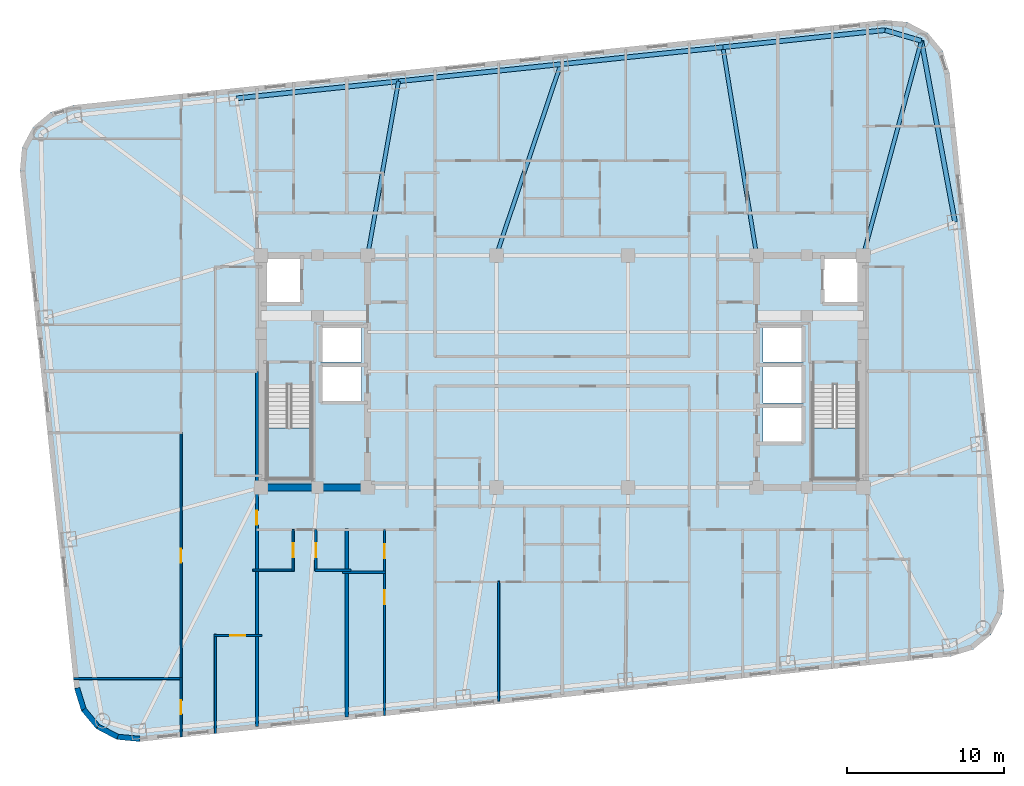
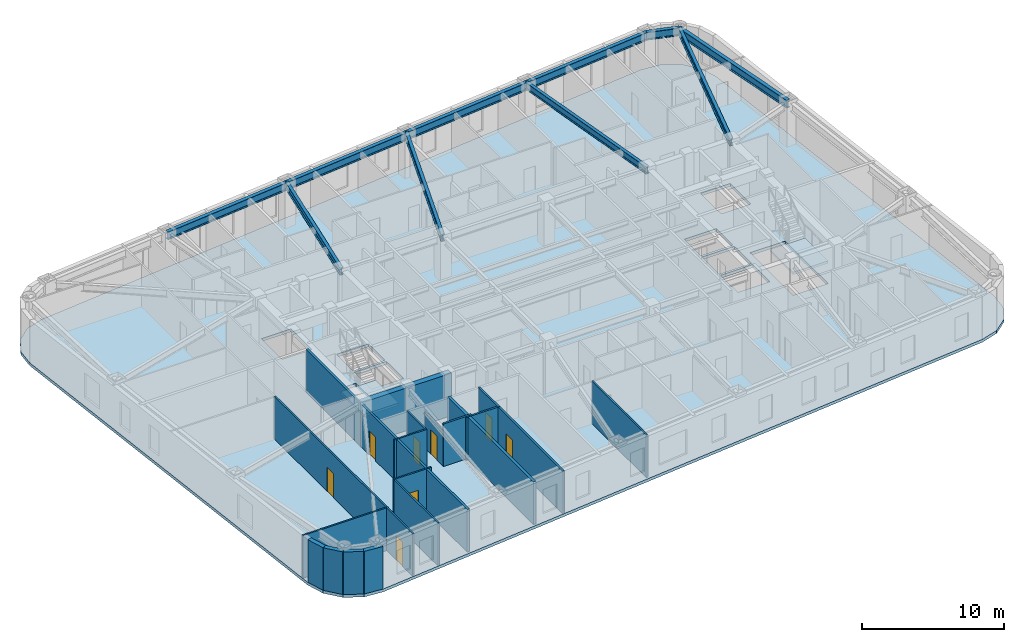
# One storey, part 2 of 12: 20 walls, 10 beams, 8 doors, 3 slabs, 8 openings, 2 elements without a shape of their own.
"""IFC4 building model written with IfcOpenShell, lengths in metres."""

from ifc_helpers import new_model, si_unit, direction, frame, frame_2d, origin, origin_2d, place, context, subcontext, project, spatial, polyline, rectangle, i_section, outline, extrude, material, layer, layer_set, material_profile, profile_set, type_object, element, fill, aggregate, save


model = new_model("IFC4")

# Units and contexts
model_context = context("Model", 3, precision=1e-05, world=origin(), true_north=direction((0.0, 1.0)))
body_context = subcontext(model_context, "Body", "Model", "MODEL_VIEW")
ifc_project = project(units=[si_unit("LENGTHUNIT", "METRE"), si_unit("AREAUNIT", "SQUARE_METRE"), si_unit("VOLUMEUNIT", "CUBIC_METRE"), si_unit("PLANEANGLEUNIT", "RADIAN"), si_unit("MASSUNIT", "GRAM", prefix="KILO")], contexts=[model_context])

# Site, building, storey
site_placement = place(None, origin())
site = spatial("IfcSite", under=ifc_project, at=site_placement, CompositionType="ELEMENT")
building_placement = place(site_placement, origin())
building = spatial("IfcBuilding", under=site, at=building_placement, Name="Voryun Gate Residences", CompositionType="ELEMENT")
storey_placement = place(building_placement, frame((0.0, 0.0, 179.39990234375)))
storey = spatial("IfcBuildingStorey", under=building, at=storey_placement, Name="L44", CompositionType="ELEMENT", Elevation=179.39990234375)

# Beams
ifc_material_1 = material(Name="Steel SM355", Category="steel")
ifc_material_profile_1 = material_profile(ifc_material_1, i_section(OverallWidth=0.300048828125, OverallDepth=0.679931640625, WebThickness=0.013916015625, FlangeThickness=0.02490234375, FilletRadius=0.01806640625, at=origin_2d()), Name="H-680x300x14x25")
ifc_profile_set_1 = profile_set([ifc_material_profile_1], Name="Steel SM355")
beam_type_1 = type_object("IfcBeamType", Name="BM_EXO_SPANDREL_M", PredefinedType="SPANDREL", material=ifc_profile_set_1)
beam_1_placement = place(storey_placement, frame((25.047119140625, 9.51806640625, 3.31005859375), z_axis=(-0.182267768769, 0.983248931079, 0.0), x_axis=(-0.983248931079, -0.182267768769, 0.0)))
element("IfcBeam", 1, at=beam_1_placement, inside=storey, type_object=beam_type_1, Name="BM-L44-SPAND-09", PredefinedType="SPANDREL", context=body_context, shape_type="SweptSolid", body=[
    extrude(i_section(OverallWidth=0.300048828125, OverallDepth=0.679931640625, WebThickness=0.013916015625, FlangeThickness=0.02490234375, FilletRadius=0.01806640625, at=origin_2d()), origin(), (0.0, 0.0, 1.0), 11.753662109375),
])
beam_2_placement = place(storey_placement, frame((22.90478515625, 21.074951171875, 3.31005859375), z_axis=(-0.958843048967, 0.283936625758, 0.0), x_axis=(-0.283936625758, -0.958843048967, 0.0)))
element("IfcBeam", 2, at=beam_2_placement, inside=storey, type_object=beam_type_1, Name="BM-L44-SPAND-10", PredefinedType="SPANDREL", context=body_context, shape_type="SweptSolid", body=[
    extrude(i_section(OverallWidth=0.300048828125, OverallDepth=0.679931640625, WebThickness=0.013916015625, FlangeThickness=0.02490234375, FilletRadius=0.01806640625, at=origin_2d()), origin(), (0.0, 0.0, 1.0), 2.410888671875),
])
for number, where, z_axis, x_axis, name in (
    (3, (20.593017578125, 21.759521484375, 3.31005859375), (-0.994521263116, -0.104534478571, 0.0), (0.104534478571, -0.994521263116, 0.0), "BM-L44-SPAND-11"),
    (4, (10.25, 20.67236328125, 3.31005859375), (-0.99452370336, -0.10451125994, 0.0), (0.10451125994, -0.99452370336, 0.0), "BM-L44-SPAND-12"),
    (5, (-0.093017578125, 19.58544921875, 3.31005859375), (-0.994521263116, -0.104534478571, 0.0), (0.104534478571, -0.994521263116, 0.0), "BM-L44-SPAND-13"),
    (6, (-10.43603515625, 18.498291015625, 3.31005859375), (-0.994521263116, -0.104534478571, 0.0), (0.104534478571, -0.994521263116, 0.0), "BM-L44-SPAND-14"),
):
    element("IfcBeam", number, at=place(storey_placement, frame(where, z_axis=z_axis, x_axis=x_axis)), inside=storey, type_object=beam_type_1, Name=name, PredefinedType="SPANDREL", context=body_context, shape_type="SweptSolid", body=[
        extrude(i_section(OverallWidth=0.300048828125, OverallDepth=0.679931640625, WebThickness=0.013916015625, FlangeThickness=0.02490234375, FilletRadius=0.01806640625, at=origin_2d()), origin(), (0.0, 0.0, 1.0), 10.39990234375),
    ])
ifc_material_2 = material(Name="Steel SM355", Category="steel")
ifc_material_profile_2 = material_profile(ifc_material_2, i_section(OverallWidth=0.25, OverallDepth=0.60009765625, WebThickness=0.011962890625, FlangeThickness=0.02197265625, FilletRadius=0.01806640625, at=origin_2d()), Name="H-600x250x12x22")
ifc_profile_set_2 = profile_set([ifc_material_profile_2], Name="Steel SM355")
beam_type_2 = type_object("IfcBeamType", Name="BM_GIRD_600", PredefinedType="USERDEFINED", material=ifc_profile_set_2)
beam_3_placement = place(storey_placement, frame((19.199951171875, 7.39990234375, 3.35009765625), z_axis=(0.261492735838, 0.965205443988, 0.0), x_axis=(-0.965205443988, 0.261492735838, 0.0)))
element("IfcBeam", 7, at=beam_3_placement, inside=storey, type_object=beam_type_2, Name="BM-L44-RAD-CNE", ObjectType="GIRDER", PredefinedType="USERDEFINED", context=body_context, shape_type="SweptSolid", body=[
    extrude(i_section(OverallWidth=0.25, OverallDepth=0.60009765625, WebThickness=0.011962890625, FlangeThickness=0.02197265625, FilletRadius=0.01806640625, at=origin_2d()), origin(), (0.0, 0.0, 1.0), 14.16796875),
])
beam_4_placement = place(storey_placement, frame((12.39990234375, 7.39990234375, 3.35009765625), z_axis=(-0.159898055533, 0.987133532931, 0.0), x_axis=(-0.987133532931, -0.159898055533, 0.0)))
element("IfcBeam", 8, at=beam_4_placement, inside=storey, type_object=beam_type_2, Name="BM-L44-RAD-N2", ObjectType="GIRDER", PredefinedType="USERDEFINED", context=body_context, shape_type="SweptSolid", body=[
    extrude(i_section(OverallWidth=0.25, OverallDepth=0.60009765625, WebThickness=0.011962890625, FlangeThickness=0.02197265625, FilletRadius=0.01806640625, at=origin_2d()), origin(), (0.0, 0.0, 1.0), 13.445556640625),
])
beam_5_placement = place(storey_placement, frame((-4.199951171875, 7.39990234375, 3.35009765625), z_axis=(0.319381479956, 0.947626229197, 0.0), x_axis=(-0.947626229197, 0.319381479956, 0.0)))
element("IfcBeam", 9, at=beam_5_placement, inside=storey, type_object=beam_type_2, Name="BM-L44-RAD-N3", ObjectType="GIRDER", PredefinedType="USERDEFINED", context=body_context, shape_type="SweptSolid", body=[
    extrude(i_section(OverallWidth=0.25, OverallDepth=0.60009765625, WebThickness=0.011962890625, FlangeThickness=0.02197265625, FilletRadius=0.01806640625, at=origin_2d()), origin(), (0.0, 0.0, 1.0), 12.859130859375),
])
beam_6_placement = place(storey_placement, frame((-12.39990234375, 7.39990234375, 3.35009765625), z_axis=(0.174243764839, 0.984702549207, 0.0), x_axis=(-0.984702549207, 0.174243764839, 0.0)))
element("IfcBeam", 10, at=beam_6_placement, inside=storey, type_object=beam_type_2, Name="BM-L44-RAD-N4", ObjectType="GIRDER", PredefinedType="USERDEFINED", context=body_context, shape_type="SweptSolid", body=[
    extrude(i_section(OverallWidth=0.25, OverallDepth=0.60009765625, WebThickness=0.011962890625, FlangeThickness=0.02197265625, FilletRadius=0.01806640625, at=origin_2d()), origin(), (0.0, 0.0, 1.0), 11.270751953125),
])

# Slab
ifc_material_3 = material(Name="Concrete C40/50", Category="concrete")
ifc_layer_1 = layer(ifc_material_3, 0.25, Name="SLB_RES_250")
ifc_layer_set_1 = layer_set([ifc_layer_1], Name="Concrete C40/50")
slab_type_1 = type_object("IfcSlabType", Name="SLB_RES_250", PredefinedType="FLOOR", material=ifc_layer_set_1)
slab_1_placement = place(storey_placement, frame((0.0, 0.0, -0.25)))
element("IfcSlab", 11, at=slab_1_placement, inside=storey, type_object=slab_type_1, Name="L44 Structural Floor Slab", PredefinedType="FLOOR", context=body_context, shape_type="SweptSolid", body=[
    extrude(outline(polyline([(-26.92529296875, -23.60595703125), (-28.401611328125, -23.47021484375), (-29.7138671875, -22.780029296875), (-30.661865234375, -21.639892578125), (-31.1015625, -20.22412109375), (-34.572021484375, 12.794189453125), (-34.436279296875, 14.2705078125), (-33.745849609375, 15.582763671875), (-32.60595703125, 16.53076171875), (-31.18994140625, 16.970458984375), (20.525146484375, 22.406005859375), (22.001708984375, 22.270263671875), (23.313720703125, 21.580078125), (24.261962890625, 20.43994140625), (24.70166015625, 19.02392578125), (28.171875, -13.994140625), (28.036376953125, -15.470458984375), (27.345947265625, -16.78271484375), (26.2060546875, -17.730712890625), (24.7900390625, -18.17041015625), (-26.92529296875, -23.60595703125)]), holes=[polyline([(-15.97509765625, -6.85009765625), (-15.97509765625, -0.840087890625), (-18.824951171875, -0.840087890625), (-18.824951171875, -6.85009765625), (-15.97509765625, -6.85009765625)]), polyline([(18.824951171875, -6.85009765625), (18.824951171875, -0.840087890625), (15.97509765625, -0.840087890625), (15.97509765625, -6.85009765625), (18.824951171875, -6.85009765625)]), polyline([(15.39990234375, -2.199951171875), (12.800048828125, -2.199951171875), (12.800048828125, -4.60009765625), (15.39990234375, -4.60009765625), (15.39990234375, -2.199951171875)]), polyline([(-12.800048828125, 0.39990234375), (-15.39990234375, 0.39990234375), (-15.39990234375, -2.0), (-12.800048828125, -2.0), (-12.800048828125, 0.39990234375)]), polyline([(15.39990234375, 0.39990234375), (12.800048828125, 0.39990234375), (12.800048828125, -2.0), (15.39990234375, -2.0), (15.39990234375, 0.39990234375)]), polyline([(-12.800048828125, 2.89990234375), (-15.39990234375, 2.89990234375), (-15.39990234375, 0.60009765625), (-12.800048828125, 0.60009765625), (-12.800048828125, 2.89990234375)]), polyline([(15.39990234375, 2.89990234375), (12.800048828125, 2.89990234375), (12.800048828125, 0.60009765625), (15.39990234375, 0.60009765625), (15.39990234375, 2.89990234375)]), polyline([(-16.60009765625, 4.300048828125), (-16.60009765625, 7.199951171875), (-19.0, 7.199951171875), (-19.0, 4.300048828125), (-16.60009765625, 4.300048828125)]), polyline([(19.0, 4.300048828125), (19.0, 7.199951171875), (16.60009765625, 7.199951171875), (16.60009765625, 4.300048828125), (19.0, 4.300048828125)])]), origin(), (0.0, 0.0, 1.0), 0.25),
])

# Stair, slab
ifc_material_4 = material(Name="Concrete C40/50", Category="concrete")
stair_type = type_object("IfcStairType", Name="STR_CORE_DOGLEG_1350", PredefinedType="HALF_TURN_STAIR", material=ifc_material_4)
stair_1_placement = place(storey_placement, origin())
stair_1 = element("IfcStair", 12, at=stair_1_placement, inside=storey, type_object=stair_type, Name="L44 Special Escape Stair ST-W1", PredefinedType="HALF_TURN_STAIR")
ifc_material_5 = material(Name="Concrete C40/50", Category="concrete")
ifc_layer_2 = layer(ifc_material_5, 0.199951171875, Name="SLB_STAIR_LANDING_200")
ifc_layer_set_2 = layer_set([ifc_layer_2], Name="Concrete C40/50")
slab_type_2 = type_object("IfcSlabType", Name="SLB_STAIR_LANDING_200", PredefinedType="LANDING", material=ifc_layer_set_2)
slab_2_placement = place(storey_placement, frame((0.0, 0.0, 1.75)))
slab_2 = element("IfcSlab", 13, at=slab_2_placement, type_object=slab_type_2, Name="ST-W1 landing 1", PredefinedType="LANDING", context=body_context, shape_type="SweptSolid", body=[
    extrude(outline(polyline([(-18.824951171875, -3.60009765625), (-18.824951171875, -6.85009765625), (-15.97509765625, -6.85009765625), (-15.97509765625, -3.60009765625), (-18.824951171875, -3.60009765625)])), origin(), (0.0, 0.0, 1.0), 0.2001953125),
])
aggregate(stair_1, [slab_2])

stair_2_placement = place(storey_placement, origin())
stair_2 = element("IfcStair", 14, at=stair_2_placement, inside=storey, type_object=stair_type, Name="L44 Special Escape Stair ST-E1", PredefinedType="HALF_TURN_STAIR")
slab_3_placement = place(storey_placement, frame((0.0, 0.0, 1.75)))
slab_3 = element("IfcSlab", 15, at=slab_3_placement, type_object=slab_type_2, Name="ST-E1 landing 1", PredefinedType="LANDING", context=body_context, shape_type="SweptSolid", body=[
    extrude(outline(polyline([(15.97509765625, -3.60009765625), (15.97509765625, -6.85009765625), (18.824951171875, -6.85009765625), (18.824951171875, -3.60009765625), (15.97509765625, -3.60009765625)])), origin(), (0.0, 0.0, 1.0), 0.2001953125),
])
aggregate(stair_2, [slab_3])

# Wall
ifc_material_6 = material(Name="Concrete C50/60", Category="concrete")
ifc_layer_3 = layer(ifc_material_6, 0.449951171875, Name="CW_CORE_450")
ifc_layer_set_3 = layer_set([ifc_layer_3], Name="Concrete C50/60")
wall_type_1 = type_object("IfcWallType", Name="CW_CORE_450", PredefinedType="SHEAR", material=ifc_layer_set_3)
wall_1_placement = place(storey_placement, frame((-19.425048828125, -7.39990234375, 0.0), z_axis=(0.0, 0.0, 1.0), x_axis=(1.0, 0.0, 0.0)))
element("IfcWall", 16, at=wall_1_placement, inside=storey, type_object=wall_type_1, Name="L44 Core shear wall CW-L44-WS", PredefinedType="SHEAR", context=body_context, shape_type="SweptSolid", body=[
    extrude(rectangle(XDim=7.25, YDim=0.449951171875, at=frame_2d((3.625, 0.0))), origin(), (0.0, 0.0, 1.0), 3.650146484375),
])

# Wall, opening, door
ifc_material_7 = material(Name="Gypsum acoustic fireboard")
ifc_layer_4 = layer(ifc_material_7, 0.179931640625, Name="W_CORR_RATED_180")
ifc_layer_set_4 = layer_set([ifc_layer_4], Name="Gypsum acoustic fireboard")
wall_type_2 = type_object("IfcWallType", Name="W_CORR_RATED_180", PredefinedType="PARTITIONING", material=ifc_layer_set_4)
wall_2_placement = place(storey_placement, frame((-19.469970703125, -22.651611328125, 0.0), z_axis=(0.0, 0.0, 1.0), x_axis=(0.0, 1.0, 0.0)))
wall_2 = element("IfcWall", 17, at=wall_2_placement, inside=storey, type_object=wall_type_2, Name="Partition wall WP-L44-WCOR1", PredefinedType="PARTITIONING", context=body_context, shape_type="SweptSolid", body=[
    extrude(rectangle(XDim=22.651611328125, YDim=0.179931640625, at=frame_2d((11.32568359375, 0.0))), origin(), (0.0, 0.0, 1.0), 3.650146484375),
])
opening_1_placement = place(wall_2_placement, frame((12.871337890625, 0.0, 0.0)))
opening_1 = element("IfcOpeningElement", 18, at=opening_1_placement, cuts=wall_2, Name="Opening D-INT-2", PredefinedType="OPENING", context=body_context, shape_type="SweptSolid", body=[
    extrude(rectangle(XDim=0.89990234375, YDim=2.050048828125, at=frame_2d((0.449951171875, 1.02490234375))), frame((0.0, 0.099853515625, 0.0), z_axis=(0.0, -1.0, 0.0), x_axis=(1.0, 0.0, 0.0)), (0.0, 0.0, 1.0), 0.199951171875),
])
ifc_material_8 = material(Name="Architectural oak veneer")
door_type_1 = type_object("IfcDoorType", Name="DR_INT_BATH_900", OperationType="NOTDEFINED", PredefinedType="DOOR", material=ifc_material_8)
door_1_placement = place(opening_1_placement, origin())
door_1 = element("IfcDoor", 19, at=door_1_placement, inside=storey, type_object=door_type_1, Name="Door DR-L44-WE1", OperationType="SINGLE_SWING_LEFT", OverallHeight=2.050048828125, OverallWidth=0.89990234375, PredefinedType="DOOR", context=body_context, shape_type="SweptSolid", body=[
    extrude(rectangle(XDim=0.89990234375, YDim=2.050048828125, at=frame_2d((0.449951171875, 1.02490234375))), frame((0.0, 0.02490234375, 0.0), z_axis=(0.0, -1.0, 0.0), x_axis=(1.0, 0.0, 0.0)), (0.0, 0.0, 1.0), 0.050048828125),
])
fill(opening_1, door_1)

# Walls
ifc_material_9 = material(Name="Charcoal terracotta masonry", Category="masonry")
ifc_layer_5 = layer(ifc_material_9, 0.340087890625, Name="W_EXT_TERRACOTTA_340")
ifc_layer_set_5 = layer_set([ifc_layer_5], Name="Charcoal terracotta masonry")
wall_type_3 = type_object("IfcWallType", Name="W_EXT_TERRACOTTA_340", PredefinedType="ELEMENTEDWALL", material=ifc_layer_set_5)
wall_3_placement = place(storey_placement, frame((-26.92626953125, -23.435302734375, 0.0), z_axis=(0.0, 0.0, 1.0), x_axis=(-0.995800460351, 0.091550222087, 0.0)))
element("IfcWall", 20, at=wall_3_placement, inside=storey, type_object=wall_type_3, Name="Exterior wall WEXT-L44-02", PredefinedType="ELEMENTEDWALL", context=body_context, shape_type="SweptSolid", body=[
    extrude(rectangle(XDim=1.43212890625, YDim=0.340087890625, at=frame_2d((0.716064453125, 0.0))), origin(), (0.0, 0.0, 1.0), 3.650146484375),
])
wall_4_placement = place(storey_placement, frame((-28.352294921875, -23.30419921875, 0.0), z_axis=(0.0, 0.0, 1.0), x_axis=(-0.884989312682, 0.465611336243, 0.0)))
element("IfcWall", 21, at=wall_4_placement, inside=storey, type_object=wall_type_3, Name="Exterior wall WEXT-L44-03", PredefinedType="ELEMENTEDWALL", context=body_context, shape_type="SweptSolid", body=[
    extrude(rectangle(XDim=1.415283203125, YDim=0.340087890625, at=frame_2d((0.70751953125, 0.0))), origin(), (0.0, 0.0, 1.0), 3.650146484375),
])
wall_5_placement = place(storey_placement, frame((-29.604736328125, -22.645263671875, 0.0), z_axis=(0.0, 0.0, 1.0), x_axis=(-0.639437361921, 0.768843196093, 0.0)))
element("IfcWall", 22, at=wall_5_placement, inside=storey, type_object=wall_type_3, Name="Exterior wall WEXT-L44-04", PredefinedType="ELEMENTEDWALL", context=body_context, shape_type="SweptSolid", body=[
    extrude(rectangle(XDim=1.4150390625, YDim=0.340087890625, at=frame_2d((0.70751953125, 0.0))), origin(), (0.0, 0.0, 1.0), 3.650146484375),
])
wall_6_placement = place(storey_placement, frame((-30.509521484375, -21.557373046875, 0.0), z_axis=(0.0, 0.0, 1.0), x_axis=(-0.296624409546, 0.9549942197, 0.0)))
element("IfcWall", 23, at=wall_6_placement, inside=storey, type_object=wall_type_3, Name="Exterior wall WEXT-L44-05", PredefinedType="ELEMENTEDWALL", context=body_context, shape_type="SweptSolid", body=[
    extrude(rectangle(XDim=1.43212890625, YDim=0.340087890625, at=frame_2d((0.716064453125, 0.0))), origin(), (0.0, 0.0, 1.0), 3.650146484375),
])
ifc_material_10 = material(Name="Concrete C40/50", Category="concrete")
ifc_layer_6 = layer(ifc_material_10, 0.219970703125, Name="W_PARTY_ACOUSTIC_220")
ifc_layer_set_6 = layer_set([ifc_layer_6], Name="Concrete C40/50")
wall_type_4 = type_object("IfcWallType", Name="W_PARTY_ACOUSTIC_220", PredefinedType="PARTITIONING", material=ifc_layer_set_6)
wall_7_placement = place(storey_placement, frame((-13.739990234375, -22.04931640625, 0.0), z_axis=(0.0, 0.0, 1.0), x_axis=(0.0, 1.0, 0.0)))
element("IfcWall", 24, at=wall_7_placement, inside=storey, type_object=wall_type_4, Name="Partition wall WP-L44-SPTY-1", PredefinedType="PARTITIONING", context=body_context, shape_type="SweptSolid", body=[
    extrude(rectangle(XDim=12.029296875, YDim=0.219970703125, at=frame_2d((6.0146484375, 0.0))), origin(), (0.0, 0.0, 1.0), 3.650146484375),
])

# Wall, opening, door
ifc_material_11 = material(Name="Gypsum acoustic partition")
ifc_layer_7 = layer(ifc_material_11, 0.125, Name="W_UNIT_PART_125")
ifc_layer_set_7 = layer_set([ifc_layer_7], Name="Gypsum acoustic partition")
wall_type_5 = type_object("IfcWallType", Name="W_UNIT_PART_125", PredefinedType="PARTITIONING", material=ifc_layer_set_7)
wall_8_placement = place(storey_placement, frame((-17.14990234375, -12.72998046875, 0.0), z_axis=(0.0, 0.0, 1.0), x_axis=(0.0, 1.0, 0.0)))
wall_8 = element("IfcWall", 25, at=wall_8_placement, inside=storey, type_object=wall_type_5, Name="Partition wall WP-L44-S1-CVK", PredefinedType="PARTITIONING", context=body_context, shape_type="SweptSolid", body=[
    extrude(rectangle(XDim=2.64990234375, YDim=0.125, at=frame_2d((1.324951171875, 0.0))), origin(), (0.0, 0.0, 1.0), 3.650146484375),
])
opening_2_placement = place(wall_8_placement, frame((0.875, 0.0, 0.0)))
opening_2 = element("IfcOpeningElement", 26, at=opening_2_placement, cuts=wall_8, Name="Opening D-INT-2", PredefinedType="OPENING", context=body_context, shape_type="SweptSolid", body=[
    extrude(rectangle(XDim=0.89990234375, YDim=2.050048828125, at=frame_2d((0.449951171875, 1.02490234375))), frame((0.0, 0.072509765625, 0.0), z_axis=(0.0, -1.0, 0.0), x_axis=(1.0, 0.0, 0.0)), (0.0, 0.0, 1.0), 0.14501953125),
])
door_2_placement = place(opening_2_placement, origin())
door_2 = element("IfcDoor", 27, at=door_2_placement, inside=storey, type_object=door_type_1, Name="Door DR-L44-S1-DK", OperationType="SINGLE_SWING_LEFT", OverallHeight=2.050048828125, OverallWidth=0.89990234375, PredefinedType="DOOR", context=body_context, shape_type="SweptSolid", body=[
    extrude(rectangle(XDim=0.89990234375, YDim=2.050048828125, at=frame_2d((0.449951171875, 1.02490234375))), frame((0.0, 0.02490234375, 0.0), z_axis=(0.0, -1.0, 0.0), x_axis=(1.0, 0.0, 0.0)), (0.0, 0.0, 1.0), 0.050048828125),
])
fill(opening_2, door_2)

# Walls
wall_9_placement = place(storey_placement, frame((-19.719970703125, -12.669921875, 0.0), z_axis=(0.0, 0.0, 1.0), x_axis=(1.0, 0.0, 0.0)))
element("IfcWall", 28, at=wall_9_placement, inside=storey, type_object=wall_type_5, Name="Partition wall WP-L44-S1-CHK", PredefinedType="PARTITIONING", context=body_context, shape_type="SweptSolid", body=[
    extrude(rectangle(XDim=2.6298828125, YDim=0.125, at=frame_2d((1.31494140625, 0.0))), origin(), (0.0, 0.0, 1.0), 3.650146484375),
])
wall_10_placement = place(storey_placement, frame((-4.050048828125, -21.03076171875, 0.0), z_axis=(0.0, 0.0, 1.0), x_axis=(0.0, 1.0, 0.0)))
element("IfcWall", 29, at=wall_10_placement, inside=storey, type_object=wall_type_5, Name="Partition wall WP-L44-SC1-VBD", PredefinedType="PARTITIONING", context=body_context, shape_type="SweptSolid", body=[
    extrude(rectangle(XDim=7.640869140625, YDim=0.125, at=frame_2d((3.8203125, 0.0))), origin(), (0.0, 0.0, 1.0), 3.650146484375),
])
wall_11_placement = place(storey_placement, frame((-31.148681640625, -19.583984375, 0.0), z_axis=(0.0, 0.0, 1.0), x_axis=(1.0, 0.0, 0.0)))
element("IfcWall", 30, at=wall_11_placement, inside=storey, type_object=wall_type_5, Name="Partition wall WP-L44-W1-OH1", PredefinedType="PARTITIONING", context=body_context, shape_type="SweptSolid", body=[
    extrude(rectangle(XDim=6.9287109375, YDim=0.125, at=frame_2d((3.46435546875, 0.0))), origin(), (0.0, 0.0, 1.0), 3.650146484375),
])

# Wall, opening, door
wall_12_placement = place(storey_placement, frame((-24.300048828125, -23.31005859375, 0.0), z_axis=(0.0, 0.0, 1.0), x_axis=(0.0, 1.0, 0.0)))
wall_12 = element("IfcWall", 31, at=wall_12_placement, inside=storey, type_object=wall_type_5, Name="Partition wall WP-L44-W1-OVX1", PredefinedType="PARTITIONING", context=body_context, shape_type="SweptSolid", body=[
    extrude(rectangle(XDim=3.776123046875, YDim=0.125, at=frame_2d((1.88818359375, 0.0))), origin(), (0.0, 0.0, 1.0), 3.650146484375),
])
opening_3_placement = place(wall_12_placement, frame((1.43798828125, 0.0, 0.0)))
opening_3 = element("IfcOpeningElement", 32, at=opening_3_placement, cuts=wall_12, Name="Opening D-INT-2", PredefinedType="OPENING", context=body_context, shape_type="SweptSolid", body=[
    extrude(rectangle(XDim=0.89990234375, YDim=2.050048828125, at=frame_2d((0.449951171875, 1.02490234375))), frame((0.0, 0.072509765625, 0.0), z_axis=(0.0, -1.0, 0.0), x_axis=(1.0, 0.0, 0.0)), (0.0, 0.0, 1.0), 0.14501953125),
])
door_3_placement = place(opening_3_placement, origin())
door_3 = element("IfcDoor", 33, at=door_3_placement, inside=storey, type_object=door_type_1, Name="Door DR-L44-W1-DBD2", OperationType="SINGLE_SWING_LEFT", OverallHeight=2.050048828125, OverallWidth=0.89990234375, PredefinedType="DOOR", context=body_context, shape_type="SweptSolid", body=[
    extrude(rectangle(XDim=0.89990234375, YDim=2.050048828125, at=frame_2d((0.449951171875, 1.02490234375))), frame((0.0, 0.02490234375, 0.0), z_axis=(0.0, -1.0, 0.0), x_axis=(1.0, 0.0, 0.0)), (0.0, 0.0, 1.0), 0.050048828125),
])
fill(opening_3, door_3)

wall_13_placement = place(storey_placement, frame((-24.300048828125, -19.634033203125, 0.0), z_axis=(0.0, 0.0, 1.0), x_axis=(0.0, 1.0, 0.0)))
wall_13 = element("IfcWall", 34, at=wall_13_placement, inside=storey, type_object=wall_type_5, Name="Partition wall WP-L44-W1-OVX2", PredefinedType="PARTITIONING", context=body_context, shape_type="SweptSolid", body=[
    extrude(rectangle(XDim=15.76611328125, YDim=0.125, at=frame_2d((7.883056640625, 0.0))), origin(), (0.0, 0.0, 1.0), 3.650146484375),
])
opening_4_placement = place(wall_13_placement, frame((7.43310546875, 0.0, 0.0)))
opening_4 = element("IfcOpeningElement", 35, at=opening_4_placement, cuts=wall_13, Name="Opening D-INT-2", PredefinedType="OPENING", context=body_context, shape_type="SweptSolid", body=[
    extrude(rectangle(XDim=0.89990234375, YDim=2.050048828125, at=frame_2d((0.449951171875, 1.02490234375))), frame((0.0, 0.072509765625, 0.0), z_axis=(0.0, -1.0, 0.0), x_axis=(1.0, 0.0, 0.0)), (0.0, 0.0, 1.0), 0.14501953125),
])
door_4_placement = place(opening_4_placement, origin())
door_4 = element("IfcDoor", 36, at=door_4_placement, inside=storey, type_object=door_type_1, Name="Door DR-L44-W1-DSTD", OperationType="SINGLE_SWING_RIGHT", OverallHeight=2.050048828125, OverallWidth=0.89990234375, PredefinedType="DOOR", context=body_context, shape_type="SweptSolid", body=[
    extrude(rectangle(XDim=0.89990234375, YDim=2.050048828125, at=frame_2d((0.449951171875, 1.02490234375))), frame((0.0, 0.02490234375, 0.0), z_axis=(0.0, -1.0, 0.0), x_axis=(1.0, 0.0, 0.0)), (0.0, 0.0, 1.0), 0.050048828125),
])
fill(opening_4, door_4)

wall_14_placement = place(storey_placement, frame((-22.199951171875, -16.842041015625, 0.0), z_axis=(0.0, 0.0, 1.0), x_axis=(1.0, 0.0, 0.0)))
wall_14 = element("IfcWall", 37, at=wall_14_placement, inside=storey, type_object=wall_type_5, Name="Partition wall WP-L44-W1-IKA", PredefinedType="PARTITIONING", context=body_context, shape_type="SweptSolid", body=[
    extrude(rectangle(XDim=3.050048828125, YDim=0.125, at=frame_2d((1.52490234375, 0.0))), origin(), (0.0, 0.0, 1.0), 3.650146484375),
])
opening_5_placement = place(wall_14_placement, frame((1.050048828125, 0.0, 0.0)))
opening_5 = element("IfcOpeningElement", 38, at=opening_5_placement, cuts=wall_14, Name="Opening D-INT-1", PredefinedType="OPENING", context=body_context, shape_type="SweptSolid", body=[
    extrude(rectangle(XDim=0.949951171875, YDim=2.050048828125, at=frame_2d((0.47509765625, 1.02490234375))), frame((0.0, 0.072509765625, 0.0), z_axis=(0.0, -1.0, 0.0), x_axis=(1.0, 0.0, 0.0)), (0.0, 0.0, 1.0), 0.14501953125),
])
ifc_material_12 = material(Name="Architectural oak veneer")
door_type_2 = type_object("IfcDoorType", Name="DR_INT_ROOM_950", OperationType="NOTDEFINED", PredefinedType="DOOR", material=ifc_material_12)
door_5_placement = place(opening_5_placement, origin())
door_5 = element("IfcDoor", 39, at=door_5_placement, inside=storey, type_object=door_type_2, Name="Door DR-L44-W1-DK", OperationType="SINGLE_SWING_LEFT", OverallHeight=2.050048828125, OverallWidth=0.949951171875, PredefinedType="DOOR", context=body_context, shape_type="SweptSolid", body=[
    extrude(rectangle(XDim=0.949951171875, YDim=2.050048828125, at=frame_2d((0.47509765625, 1.02490234375))), frame((0.0, 0.02490234375, 0.0), z_axis=(0.0, -1.0, 0.0), x_axis=(1.0, 0.0, 0.0)), (0.0, 0.0, 1.0), 0.050048828125),
])
fill(opening_5, door_5)

# Wall
wall_15_placement = place(storey_placement, frame((-22.1201171875, -23.080810546875, 0.0), z_axis=(0.0, 0.0, 1.0), x_axis=(0.0, 1.0, 0.0)))
element("IfcWall", 40, at=wall_15_placement, inside=storey, type_object=wall_type_5, Name="Partition wall WP-L44-W1-VTA", PredefinedType="PARTITIONING", context=body_context, shape_type="SweptSolid", body=[
    extrude(rectangle(XDim=6.31884765625, YDim=0.125, at=frame_2d((3.159423828125, 0.0))), origin(), (0.0, 0.0, 1.0), 3.650146484375),
])

# Wall, opening, door
ifc_material_13 = material(Name="Gypsum moisture-resistant partition")
ifc_layer_8 = layer(ifc_material_13, 0.14990234375, Name="W_WET_PLUMB_150")
ifc_layer_set_8 = layer_set([ifc_layer_8], Name="Gypsum moisture-resistant partition")
wall_type_6 = type_object("IfcWallType", Name="W_WET_PLUMB_150", PredefinedType="PLUMBINGWALL", material=ifc_layer_set_8)
wall_16_placement = place(storey_placement, frame((-15.7041015625, -12.72998046875, 0.0), z_axis=(0.0, 0.0, 1.0), x_axis=(0.0, 1.0, 0.0)))
wall_16 = element("IfcWall", 41, at=wall_16_placement, inside=storey, type_object=wall_type_6, Name="Partition wall WP-L44-S1-CVB", PredefinedType="PLUMBINGWALL", context=body_context, shape_type="SweptSolid", body=[
    extrude(rectangle(XDim=2.64990234375, YDim=0.14990234375, at=frame_2d((1.324951171875, 0.0))), origin(), (0.0, 0.0, 1.0), 3.0400390625),
])
opening_6_placement = place(wall_16_placement, frame((0.875, 0.0, 0.0)))
opening_6 = element("IfcOpeningElement", 42, at=opening_6_placement, cuts=wall_16, Name="Opening D-INT-2", PredefinedType="OPENING", context=body_context, shape_type="SweptSolid", body=[
    extrude(rectangle(XDim=0.89990234375, YDim=2.050048828125, at=frame_2d((0.449951171875, 1.02490234375))), frame((0.0, 0.0849609375, 0.0), z_axis=(0.0, -1.0, 0.0), x_axis=(1.0, 0.0, 0.0)), (0.0, 0.0, 1.0), 0.169921875),
])
door_6_placement = place(opening_6_placement, origin())
door_6 = element("IfcDoor", 43, at=door_6_placement, inside=storey, type_object=door_type_1, Name="Door DR-L44-S1-DB", OperationType="SINGLE_SWING_RIGHT", OverallHeight=2.050048828125, OverallWidth=0.89990234375, PredefinedType="DOOR", context=body_context, shape_type="SweptSolid", body=[
    extrude(rectangle(XDim=0.89990234375, YDim=2.050048828125, at=frame_2d((0.449951171875, 1.02490234375))), frame((0.0, 0.02490234375, 0.0), z_axis=(0.0, -1.0, 0.0), x_axis=(1.0, 0.0, 0.0)), (0.0, 0.0, 1.0), 0.050048828125),
])
fill(opening_6, door_6)

# Walls
wall_17_placement = place(storey_placement, frame((-15.763916015625, -12.669921875, 0.0), z_axis=(0.0, 0.0, 1.0), x_axis=(1.0, 0.0, 0.0)))
element("IfcWall", 44, at=wall_17_placement, inside=storey, type_object=wall_type_6, Name="Partition wall WP-L44-S1-CHB", PredefinedType="PLUMBINGWALL", context=body_context, shape_type="SweptSolid", body=[
    extrude(rectangle(XDim=2.283935546875, YDim=0.14990234375, at=frame_2d((1.14208984375, 0.0))), origin(), (0.0, 0.0, 1.0), 3.650146484375),
])
wall_18_placement = place(storey_placement, frame((-14.0, -12.800048828125, 0.0), z_axis=(0.0, 0.0, 1.0), x_axis=(1.0, 0.0, 0.0)))
element("IfcWall", 45, at=wall_18_placement, inside=storey, type_object=wall_type_6, Name="Partition wall WP-L44-S2-SKB", PredefinedType="PLUMBINGWALL", context=body_context, shape_type="SweptSolid", body=[
    extrude(rectangle(XDim=2.7490234375, YDim=0.14990234375, at=frame_2d((1.37451171875, 0.0))), origin(), (0.0, 0.0, 1.0), 3.650146484375),
])

# Wall, opening, door
wall_19_placement = place(storey_placement, frame((-11.3310546875, -21.947021484375, 0.0), z_axis=(0.0, 0.0, 1.0), x_axis=(0.0, 1.0, 0.0)))
wall_19 = element("IfcWall", 46, at=wall_19_placement, inside=storey, type_object=wall_type_6, Name="Partition wall WP-L44-S2-SVT1", PredefinedType="PLUMBINGWALL", context=body_context, shape_type="SweptSolid", body=[
    extrude(rectangle(XDim=9.18701171875, YDim=0.14990234375, at=frame_2d((4.593505859375, 0.0))), origin(), (0.0, 0.0, 1.0), 3.650146484375),
])
opening_7_placement = place(wall_19_placement, frame((7.083251953125, 0.0, 0.0)))
opening_7 = element("IfcOpeningElement", 47, at=opening_7_placement, cuts=wall_19, Name="Opening D-INT-2", PredefinedType="OPENING", context=body_context, shape_type="SweptSolid", body=[
    extrude(rectangle(XDim=0.89990234375, YDim=2.050048828125, at=frame_2d((0.449951171875, 1.02490234375))), frame((0.0, 0.0849609375, 0.0), z_axis=(0.0, -1.0, 0.0), x_axis=(1.0, 0.0, 0.0)), (0.0, 0.0, 1.0), 0.169921875),
])
door_7_placement = place(opening_7_placement, origin())
door_7 = element("IfcDoor", 48, at=door_7_placement, inside=storey, type_object=door_type_1, Name="Door DR-L44-S2-DK", OperationType="SINGLE_SWING_LEFT", OverallHeight=2.050048828125, OverallWidth=0.89990234375, PredefinedType="DOOR", context=body_context, shape_type="SweptSolid", body=[
    extrude(rectangle(XDim=0.89990234375, YDim=2.050048828125, at=frame_2d((0.449951171875, 1.02490234375))), frame((0.0, 0.02490234375, 0.0), z_axis=(0.0, -1.0, 0.0), x_axis=(1.0, 0.0, 0.0)), (0.0, 0.0, 1.0), 0.050048828125),
])
fill(opening_7, door_7)

wall_20_placement = place(storey_placement, frame((-11.3310546875, -12.840087890625, 0.0), z_axis=(0.0, 0.0, 1.0), x_axis=(0.0, 1.0, 0.0)))
wall_20 = element("IfcWall", 49, at=wall_20_placement, inside=storey, type_object=wall_type_6, Name="Partition wall WP-L44-S2-SVT2", PredefinedType="PLUMBINGWALL", context=body_context, shape_type="SweptSolid", body=[
    extrude(rectangle(XDim=2.760009765625, YDim=0.14990234375, at=frame_2d((1.3798828125, 0.0))), origin(), (0.0, 0.0, 1.0), 3.650146484375),
])
opening_8_placement = place(wall_20_placement, frame((0.929931640625, 0.0, 0.0)))
opening_8 = element("IfcOpeningElement", 50, at=opening_8_placement, cuts=wall_20, Name="Opening D-INT-2", PredefinedType="OPENING", context=body_context, shape_type="SweptSolid", body=[
    extrude(rectangle(XDim=0.89990234375, YDim=2.050048828125, at=frame_2d((0.449951171875, 1.02490234375))), frame((0.0, 0.0849609375, 0.0), z_axis=(0.0, -1.0, 0.0), x_axis=(1.0, 0.0, 0.0)), (0.0, 0.0, 1.0), 0.169921875),
])
door_8_placement = place(opening_8_placement, origin())
door_8 = element("IfcDoor", 51, at=door_8_placement, inside=storey, type_object=door_type_1, Name="Door DR-L44-S2-DB", OperationType="SINGLE_SWING_RIGHT", OverallHeight=2.050048828125, OverallWidth=0.89990234375, PredefinedType="DOOR", context=body_context, shape_type="SweptSolid", body=[
    extrude(rectangle(XDim=0.89990234375, YDim=2.050048828125, at=frame_2d((0.449951171875, 1.02490234375))), frame((0.0, 0.02490234375, 0.0), z_axis=(0.0, -1.0, 0.0), x_axis=(1.0, 0.0, 0.0)), (0.0, 0.0, 1.0), 0.050048828125),
])
fill(opening_8, door_8)

save(model, "model.ifc")
